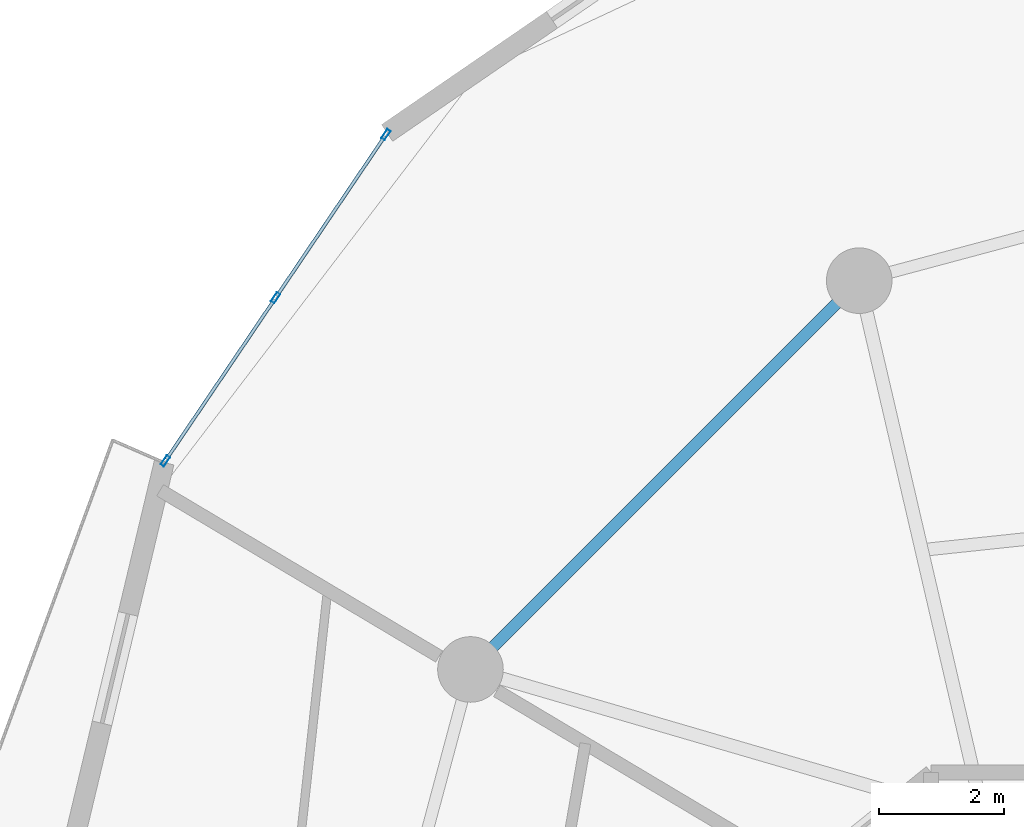
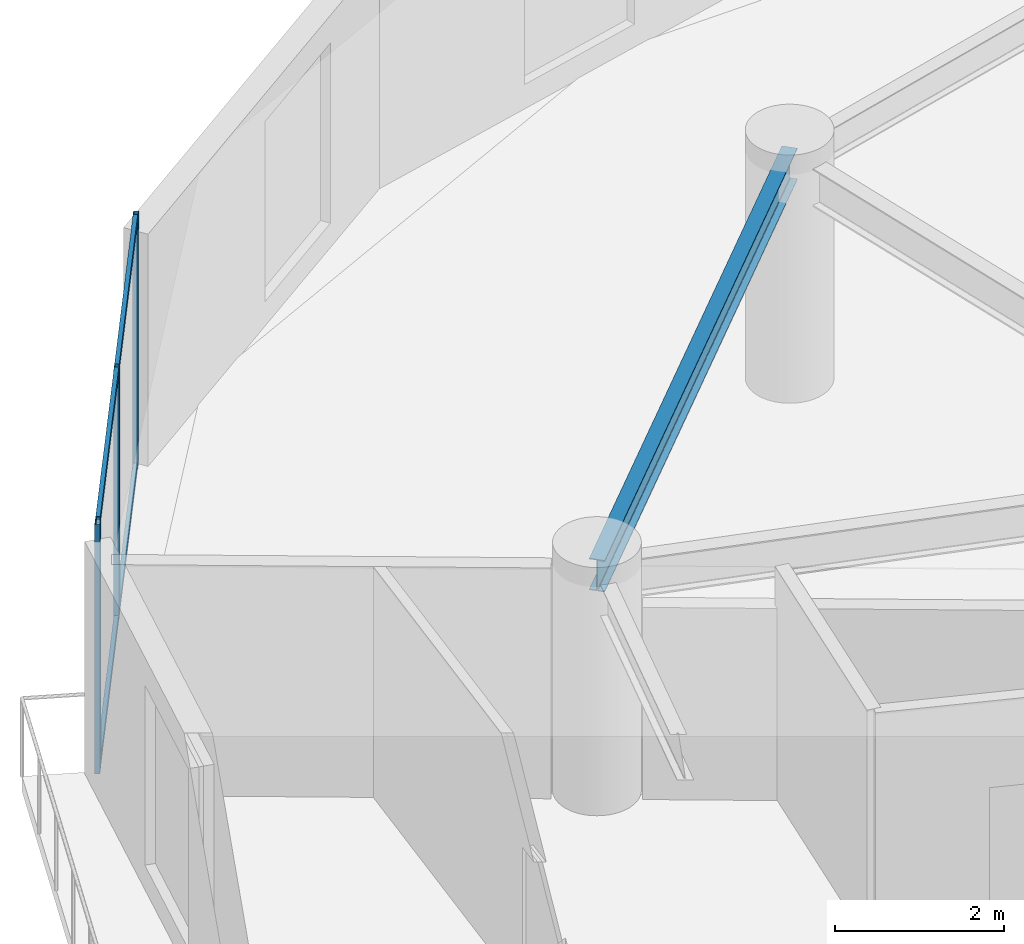
# One storey, part 13 of 22: 7 members, 1 beam, 1 element without a shape of its own.
"""IFC4 building model written with IfcOpenShell, lengths in metres."""

from ifc_helpers import new_model, si_unit, direction, frame, origin, origin_2d, place, context, subcontext, project, spatial, hollow_rectangle, i_section, extrude, source, transform, mapped, material, layer, layer_set, material_profile, profile_set, type_object, element, aggregate, save


model = new_model("IFC4")

# Units and contexts
model_context = context("Model", 3, precision=1e-05, world=origin(), true_north=direction((0.0, 1.0)))
body_context = subcontext(model_context, "Body", "Model", "MODEL_VIEW")
ifc_project = project(units=[si_unit("LENGTHUNIT", "METRE"), si_unit("AREAUNIT", "SQUARE_METRE"), si_unit("VOLUMEUNIT", "CUBIC_METRE"), si_unit("PLANEANGLEUNIT", "RADIAN"), si_unit("MASSUNIT", "GRAM", prefix="KILO")], contexts=[model_context])

# Site, building, storey
site_placement = place(None, origin())
site = spatial("IfcSite", under=ifc_project, at=site_placement, CompositionType="ELEMENT")
building_placement = place(site_placement, origin())
building = spatial("IfcBuilding", under=site, at=building_placement, Name="Solvirekh Grand Hotel", CompositionType="ELEMENT")
storey_placement = place(building_placement, frame((0.0, 0.0, 145.800048828125)))
storey = spatial("IfcBuildingStorey", under=building, at=storey_placement, Name="L37", CompositionType="ELEMENT", Elevation=145.800048828125)

# Beam
ifc_material_1 = material(Name="Steel S355", Category="steel")
ifc_material_profile_1 = material_profile(ifc_material_1, i_section(OverallWidth=0.18994140625, OverallDepth=0.45703125, WebThickness=0.009033203125, FlangeThickness=0.013916015625, FilletRadius=0.012939453125, at=origin_2d()), Name="W460X74")
ifc_profile_set_1 = profile_set([ifc_material_profile_1], Name="Steel S355")
beam_type = type_object("IfcBeamType", Name="Spandrel_Ring_W460", PredefinedType="SPANDREL", material=ifc_profile_set_1)
beam_placement = place(storey_placement, frame((-8.5, 14.721923828125, 3.1220703125), z_axis=(-0.707106781187, -0.707106781187, 0.0), x_axis=(0.707106781187, -0.707106781187, 0.0)))
element("IfcBeam", 1, at=beam_placement, inside=storey, type_object=beam_type, Name="L37 perimeter spandrel beam 5", PredefinedType="SPANDREL", context=body_context, shape_type="SweptSolid", body=[
    extrude(i_section(OverallWidth=0.18994140625, OverallDepth=0.45703125, WebThickness=0.009033203125, FlangeThickness=0.013916015625, FilletRadius=0.012939453125, at=origin_2d()), origin(), (0.0, 0.0, 1.0), 8.799072265625),
])

# Curtain wall, members
ifc_material_2 = material(Name="Anodized Bronze Aluminium 6063-T6", Category="aluminium")
ifc_layer = layer(ifc_material_2, 0.175048828125)
ifc_layer_set = layer_set([ifc_layer], Name="Anodized Bronze Aluminium 6063-T6")
curtain_wall_type = type_object("IfcCurtainWallType", Name="CW_Sys3_MidZoneFlushBronzeCW", PredefinedType="NOTDEFINED", material=ifc_layer_set)
curtain_wall_placement = place(storey_placement, origin())
curtain_wall = element("IfcCurtainWall", 2, at=curtain_wall_placement, inside=storey, type_object=curtain_wall_type, Name="L37 unitised bronze-glass curtain wall CW-L37-C11", PredefinedType="NOTDEFINED")
ifc_material_profile_2 = material_profile(ifc_material_2, hollow_rectangle(XDim=0.06494140625, YDim=0.175048828125, WallThickness=0.0048828125, at=origin_2d()), Name="ALU RHS 175X65X5")
ifc_profile_set_2 = profile_set([ifc_material_profile_2], Name="Anodized Bronze Aluminium 6063-T6")
member_type_1 = type_object("IfcMemberType", Name="CWMullion_Sys3", PredefinedType="MULLION", material=ifc_profile_set_2)
shared_shape_1 = source(origin(), body_context, "Body", "SweptSolid", [
    extrude(hollow_rectangle(XDim=0.06494140625, YDim=0.175048828125, WallThickness=0.0048828125, at=origin_2d()), origin(), (0.0, 0.0, 1.0), 3.599853515625),
])
member_1_placement = place(storey_placement, frame((-16.0751953125, 17.06005859375, 0.0), z_axis=(0.0, 0.0, 1.0), x_axis=(0.828433413671, -0.560087563791, 0.0)))
member_1 = element("IfcMember", 3, at=member_1_placement, type_object=member_type_1, Name="U03 mullion 1", PredefinedType="MULLION", context=body_context, shape_type="MappedRepresentation", body=[
    mapped(shared_shape_1, transform((0.0, 0.0, 0.0), x_axis=(1.0, 0.0, 0.0), y_axis=(0.0, 1.0, 0.0), z_axis=(0.0, 0.0, 1.0), scale=1.0)),
])
member_2_placement = place(storey_placement, frame((-17.840576171875, 14.448974609375, 0.0), z_axis=(0.0, 0.0, 1.0), x_axis=(0.828433413671, -0.560087563791, 0.0)))
member_2 = element("IfcMember", 4, at=member_2_placement, type_object=member_type_1, Name="U03 mullion 2", PredefinedType="MULLION", context=body_context, shape_type="MappedRepresentation", body=[
    mapped(shared_shape_1, transform((0.0, 0.0, 0.0), x_axis=(1.0, 0.0, 0.0), y_axis=(0.0, 1.0, 0.0), z_axis=(0.0, 0.0, 1.0), scale=1.0)),
])
member_3_placement = place(storey_placement, frame((-19.605712890625, 11.837890625, 0.0), z_axis=(0.0, 0.0, 1.0), x_axis=(0.828433413671, -0.560087563791, 0.0)))
member_3 = element("IfcMember", 5, at=member_3_placement, type_object=member_type_1, Name="U03 mullion 3", PredefinedType="MULLION", context=body_context, shape_type="MappedRepresentation", body=[
    mapped(shared_shape_1, transform((0.0, 0.0, 0.0), x_axis=(1.0, 0.0, 0.0), y_axis=(0.0, 1.0, 0.0), z_axis=(0.0, 0.0, 1.0), scale=1.0)),
])
ifc_material_profile_3 = material_profile(ifc_material_2, hollow_rectangle(XDim=0.054931640625, YDim=0.1201171875, WallThickness=0.00390625, at=origin_2d()), Name="ALU RHS 120X55X4")
ifc_profile_set_3 = profile_set([ifc_material_profile_3], Name="Anodized Bronze Aluminium 6063-T6")
member_type_2 = type_object("IfcMemberType", Name="CWTransom_Sys3", PredefinedType="USERDEFINED", material=ifc_profile_set_3)
shared_shape_2 = source(origin(), body_context, "Body", "SweptSolid", [
    extrude(hollow_rectangle(XDim=0.054931640625, YDim=0.1201171875, WallThickness=0.00390625, at=origin_2d()), origin(), (0.0, 0.0, 1.0), 3.0869140625),
])
member_4_placement = place(storey_placement, frame((-16.093505859375, 17.033203125, 0.02734375), z_axis=(-0.560036441516, -0.828467974139, 0.0), x_axis=(0.828467974139, -0.560036441516, 0.0)))
member_4 = element("IfcMember", 6, at=member_4_placement, type_object=member_type_2, Name="U03 transom 1.1", ObjectType="TRANSOM", PredefinedType="USERDEFINED", context=body_context, shape_type="MappedRepresentation", body=[
    mapped(shared_shape_2, transform((0.0, 0.0, 0.0), x_axis=(1.0, 0.0, 0.0), y_axis=(0.0, 1.0, 0.0), z_axis=(0.0, 0.0, 1.0), scale=1.0)),
])
member_5_placement = place(storey_placement, frame((-16.093505859375, 17.033203125, 3.572509765625), z_axis=(-0.560036441516, -0.828467974139, 0.0), x_axis=(0.828467974139, -0.560036441516, 0.0)))
member_5 = element("IfcMember", 7, at=member_5_placement, type_object=member_type_2, Name="U03 transom 1.2", ObjectType="TRANSOM", PredefinedType="USERDEFINED", context=body_context, shape_type="MappedRepresentation", body=[
    mapped(shared_shape_2, transform((0.0, 0.0, 0.0), x_axis=(1.0, 0.0, 0.0), y_axis=(0.0, 1.0, 0.0), z_axis=(0.0, 0.0, 1.0), scale=1.0)),
])
member_6_placement = place(storey_placement, frame((-17.858642578125, 14.422119140625, 0.02734375), z_axis=(-0.560090722072, -0.828431278411, 0.0), x_axis=(0.828431278411, -0.560090722072, 0.0)))
member_6 = element("IfcMember", 8, at=member_6_placement, type_object=member_type_2, Name="U03 transom 2.1", ObjectType="TRANSOM", PredefinedType="USERDEFINED", context=body_context, shape_type="MappedRepresentation", body=[
    mapped(shared_shape_2, transform((0.0, 0.0, 0.0), x_axis=(1.0, 0.0, 0.0), y_axis=(0.0, 1.0, 0.0), z_axis=(0.0, 0.0, 1.0), scale=1.0)),
])
member_7_placement = place(storey_placement, frame((-17.858642578125, 14.422119140625, 3.572509765625), z_axis=(-0.560090722072, -0.828431278411, 0.0), x_axis=(0.828431278411, -0.560090722072, 0.0)))
member_7 = element("IfcMember", 9, at=member_7_placement, type_object=member_type_2, Name="U03 transom 2.2", ObjectType="TRANSOM", PredefinedType="USERDEFINED", context=body_context, shape_type="MappedRepresentation", body=[
    mapped(shared_shape_2, transform((0.0, 0.0, 0.0), x_axis=(1.0, 0.0, 0.0), y_axis=(0.0, 1.0, 0.0), z_axis=(0.0, 0.0, 1.0), scale=1.0)),
])
aggregate(curtain_wall, [member_1, member_2, member_3, member_4, member_5, member_6, member_7])

save(model, "model.ifc")
